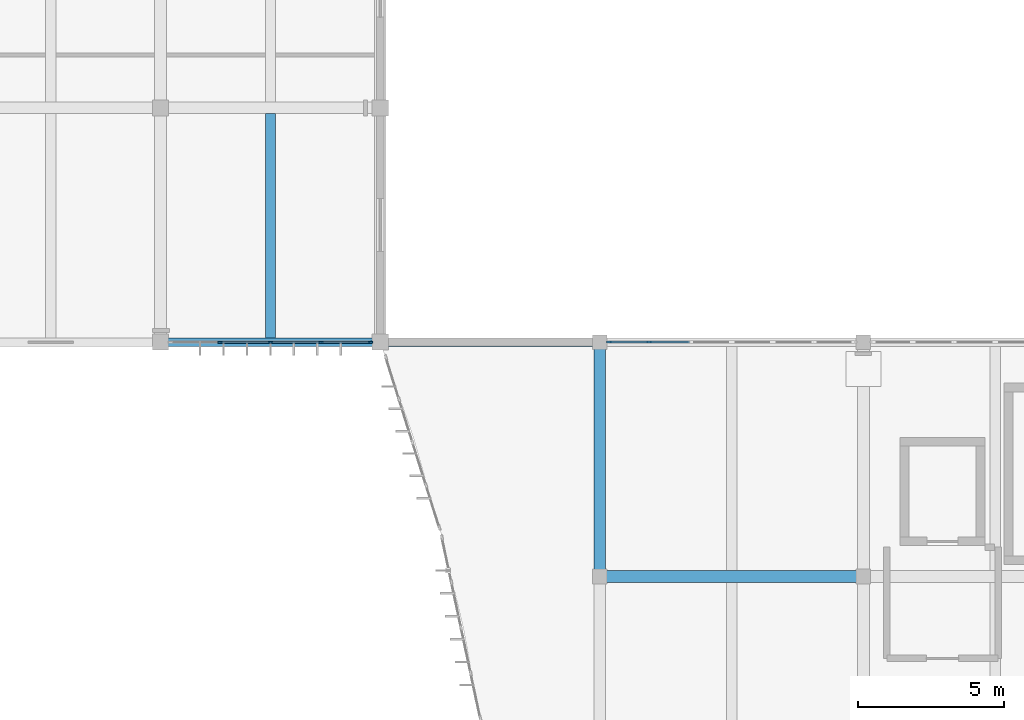
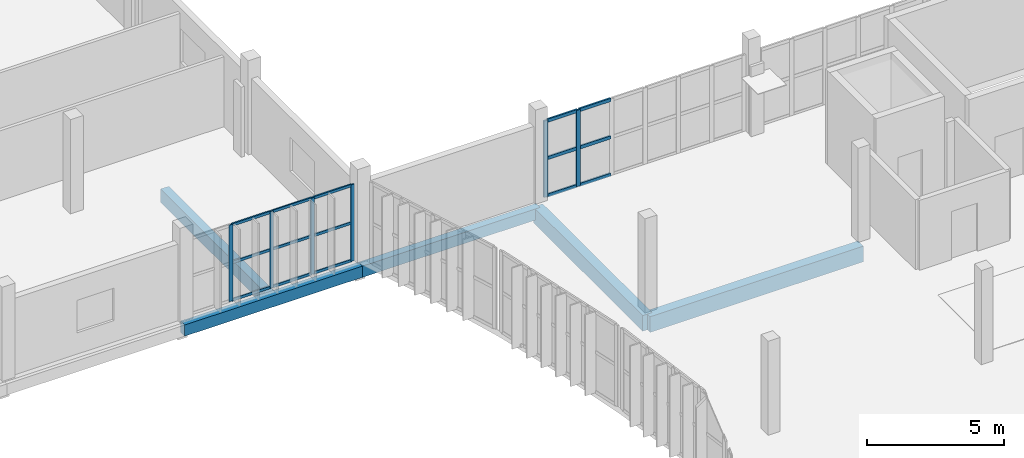
# One storey, part 27 of 61: 21 members, 5 beams, 2 elements without a shape of their own.
"""IFC4 building model written with IfcOpenShell, lengths in metres."""

from ifc_helpers import new_model, si_unit, direction, frame, origin, origin_2d, place, context, subcontext, project, spatial, rectangle, extrude, material, material_profile, profile_set, type_object, element, aggregate, save


model = new_model("IFC4")

# Units and contexts
model_context = context("Model", 3, precision=1e-05, world=origin(), true_north=direction((0.0, 1.0)))
body_context = subcontext(model_context, "Body", "Model", "MODEL_VIEW")
ifc_project = project(units=[si_unit("LENGTHUNIT", "METRE"), si_unit("AREAUNIT", "SQUARE_METRE"), si_unit("VOLUMEUNIT", "CUBIC_METRE"), si_unit("PLANEANGLEUNIT", "RADIAN"), si_unit("MASSUNIT", "GRAM", prefix="KILO")], contexts=[model_context])

# Site, building, storey
site_placement = place(None, origin())
site = spatial("IfcSite", under=ifc_project, at=site_placement, CompositionType="ELEMENT")
building_placement = place(site_placement, origin())
building = spatial("IfcBuilding", under=site, at=building_placement, Name="Vourika Railside Aquatics Centre", CompositionType="ELEMENT")
storey_placement = place(building_placement, frame((0.0, 0.0, 9.300048828125)))
storey = spatial("IfcBuildingStorey", under=building, at=storey_placement, Name="L02", CompositionType="ELEMENT", Elevation=9.300048828125)

# Beams
ifc_material_1 = material(Name="Concrete C35/45", Category="concrete")
ifc_material_profile_1 = material_profile(ifc_material_1, rectangle(XDim=0.39990234375, YDim=0.699951171875, at=origin_2d()), Name="RC 400x700")
ifc_profile_set_1 = profile_set([ifc_material_profile_1], Name="Concrete C35/45")
beam_type_1 = type_object("IfcBeamType", Name="BM-GIRD-400x700", PredefinedType="BEAM", material=ifc_profile_set_1)
beam_1_placement = place(storey_placement, frame((141.0, 84.0, -0.630126953125), z_axis=(1.0, 0.0, 0.0), x_axis=(0.0, 1.0, 0.0)))
element("IfcBeam", 1, at=beam_1_placement, inside=storey, type_object=beam_type_1, Name="Floor Beam GX-L02-081", PredefinedType="BEAM", context=body_context, shape_type="SweptSolid", body=[
    extrude(rectangle(XDim=0.39990234375, YDim=0.699951171875, at=origin_2d()), origin(), (0.0, 0.0, 1.0), 9.0),
])
beam_2_placement = place(storey_placement, frame((141.0, 84.0, -0.630126953125), z_axis=(0.0, 1.0, 0.0), x_axis=(-1.0, 0.0, 0.0)))
element("IfcBeam", 2, at=beam_2_placement, inside=storey, type_object=beam_type_1, Name="Floor Girder GY-L02-264", PredefinedType="BEAM", context=body_context, shape_type="SweptSolid", body=[
    extrude(rectangle(XDim=0.39990234375, YDim=0.699951171875, at=origin_2d()), origin(), (0.0, 0.0, 1.0), 8.0),
])
ifc_material_profile_2 = material_profile(ifc_material_1, rectangle(XDim=0.35009765625, YDim=0.60009765625, at=origin_2d()), Name="RC 350x600")
ifc_profile_set_2 = profile_set([ifc_material_profile_2], Name="Concrete C35/45")
beam_type_2 = type_object("IfcBeamType", Name="BM-SEC-350x600", PredefinedType="JOIST", material=ifc_profile_set_2)
beam_3_placement = place(storey_placement, frame((129.75, 92.14990234375, -0.580078125), z_axis=(0.0, 1.0, 0.0), x_axis=(-1.0, 0.0, 0.0)))
element("IfcBeam", 3, at=beam_3_placement, inside=storey, type_object=beam_type_2, Name="Secondary Joist JY-L02-348", PredefinedType="JOIST", context=body_context, shape_type="SweptSolid", body=[
    extrude(rectangle(XDim=0.35009765625, YDim=0.60009765625, at=origin_2d()), origin(), (0.0, 0.0, 1.0), 7.650146484375),
])
ifc_material_profile_3 = material_profile(ifc_material_1, rectangle(XDim=0.300048828125, YDim=0.5, at=origin_2d()), Name="RC 300x500")
ifc_profile_set_3 = profile_set([ifc_material_profile_3], Name="Concrete C35/45")
beam_type_3 = type_object("IfcBeamType", Name="BM-SPAN-300x500", PredefinedType="SPANDREL", material=ifc_profile_set_3)
for number, where, z_axis, x_axis, name in (
    (4, (126.0, 92.0, -0.530029296875), (1.0, 0.0, 0.0), (0.0, 1.0, 0.0), "Floor Beam GX-L02-098"),
    (5, (133.5, 92.0, -0.530029296875), (1.0, 0.0, 0.0), (0.0, 1.0, 0.0), "Floor Beam GX-L02-099"),
):
    element("IfcBeam", number, at=place(storey_placement, frame(where, z_axis=z_axis, x_axis=x_axis)), inside=storey, type_object=beam_type_3, Name=name, PredefinedType="SPANDREL", context=body_context, shape_type="SweptSolid", body=[
        extrude(rectangle(XDim=0.300048828125, YDim=0.5, at=origin_2d()), origin(), (0.0, 0.0, 1.0), 7.5),
    ])

# Curtain wall, members
ifc_material_2 = material(Name="Anodized thermally broken aluminium", Category="aluminium")
curtain_wall_type_1 = type_object("IfcCurtainWallType", Name="CW-FIT2", PredefinedType="NOTDEFINED", material=ifc_material_2)
curtain_wall_1_placement = place(storey_placement, origin())
curtain_wall_1 = element("IfcCurtainWall", 6, at=curtain_wall_1_placement, inside=storey, type_object=curtain_wall_type_1, Name="Courtyard Fitness Curtain Wall L02-13", PredefinedType="NOTDEFINED")
ifc_material_3 = material(Name="Anodized aluminium mullion", Category="aluminium")
ifc_material_profile_4 = material_profile(ifc_material_3, rectangle(XDim=0.06005859375, YDim=0.14990234375, at=origin_2d()), Name="ALU-M 60x150")
ifc_profile_set_4 = profile_set([ifc_material_profile_4], Name="Anodized aluminium mullion")
member_type_1 = type_object("IfcMemberType", Name="CWM-FIT2", PredefinedType="MULLION", material=ifc_profile_set_4)
member_1_placement = place(storey_placement, frame((128.027587890625, 92.0, 0.0), z_axis=(0.0, 0.0, 1.0), x_axis=(0.0, 1.0, 0.0)))
member_1 = element("IfcMember", 7, at=member_1_placement, type_object=member_type_1, Name="CW16 mullion 2", PredefinedType="MULLION", context=body_context, shape_type="SweptSolid", body=[
    extrude(rectangle(XDim=0.06005859375, YDim=0.14990234375, at=origin_2d()), origin(), (0.0, 0.0, 1.0), 3.409912109375),
])
member_2_placement = place(storey_placement, frame((129.75, 92.0, 0.0), z_axis=(0.0, 0.0, 1.0), x_axis=(0.0, 1.0, 0.0)))
member_2 = element("IfcMember", 8, at=member_2_placement, type_object=member_type_1, Name="CW16 mullion 3", PredefinedType="MULLION", context=body_context, shape_type="SweptSolid", body=[
    extrude(rectangle(XDim=0.06005859375, YDim=0.14990234375, at=origin_2d()), origin(), (0.0, 0.0, 1.0), 3.409912109375),
])
member_3_placement = place(storey_placement, frame((131.472412109375, 92.0, 0.0), z_axis=(0.0, 0.0, 1.0), x_axis=(0.0, 1.0, 0.0)))
member_3 = element("IfcMember", 9, at=member_3_placement, type_object=member_type_1, Name="CW16 mullion 4", PredefinedType="MULLION", context=body_context, shape_type="SweptSolid", body=[
    extrude(rectangle(XDim=0.06005859375, YDim=0.14990234375, at=origin_2d()), origin(), (0.0, 0.0, 1.0), 3.409912109375),
])
member_4_placement = place(storey_placement, frame((133.1650390625, 92.0, 0.0), z_axis=(0.0, 0.0, 1.0), x_axis=(0.0, 1.0, 0.0)))
member_4 = element("IfcMember", 10, at=member_4_placement, type_object=member_type_1, Name="CW16 mullion 5", PredefinedType="MULLION", context=body_context, shape_type="SweptSolid", body=[
    extrude(rectangle(XDim=0.06005859375, YDim=0.14990234375, at=origin_2d()), origin(), (0.0, 0.0, 1.0), 3.409912109375),
])

curtain_wall_type_2 = type_object("IfcCurtainWallType", Name="CW-FOYS", PredefinedType="NOTDEFINED", material=ifc_material_2)
curtain_wall_2_placement = place(storey_placement, origin())
curtain_wall_2 = element("IfcCurtainWall", 11, at=curtain_wall_2_placement, inside=storey, type_object=curtain_wall_type_2, Name="Foyer North Glazed Facade L02-1", PredefinedType="NOTDEFINED")
ifc_material_profile_5 = material_profile(ifc_material_3, rectangle(XDim=0.072021484375, YDim=0.181884765625, at=origin_2d()), Name="ALU-M 72x182")
ifc_profile_set_5 = profile_set([ifc_material_profile_5], Name="Anodized aluminium mullion")
member_type_2 = type_object("IfcMemberType", Name="CWM-FOYS", PredefinedType="MULLION", material=ifc_profile_set_5)
member_5_placement = place(storey_placement, frame((142.686767578125, 92.0, 0.0), z_axis=(0.0, 0.0, 1.0), x_axis=(0.0, -1.0, 0.0)))
member_5 = element("IfcMember", 12, at=member_5_placement, type_object=member_type_2, Name="CW11 mullion 6", PredefinedType="MULLION", context=body_context, shape_type="SweptSolid", body=[
    extrude(rectangle(XDim=0.072021484375, YDim=0.181884765625, at=origin_2d()), origin(), (0.0, 0.0, 1.0), 3.409912109375),
])
member_6_placement = place(storey_placement, frame((141.31591796875, 92.0, 0.0), z_axis=(0.0, 0.0, 1.0), x_axis=(0.0, -1.0, 0.0)))
member_6 = element("IfcMember", 13, at=member_6_placement, type_object=member_type_2, Name="CW11 mullion 7", PredefinedType="MULLION", context=body_context, shape_type="SweptSolid", body=[
    extrude(rectangle(XDim=0.072021484375, YDim=0.181884765625, at=origin_2d()), origin(), (0.0, 0.0, 1.0), 3.409912109375),
])

# Member
ifc_material_4 = material(Name="Anodized aluminium transom", Category="aluminium")
ifc_material_profile_6 = material_profile(ifc_material_4, rectangle(XDim=0.06005859375, YDim=0.117919921875, at=origin_2d()), Name="ALU-T 60x118")
ifc_profile_set_6 = profile_set([ifc_material_profile_6], Name="Anodized aluminium transom")
member_type_3 = type_object("IfcMemberType", Name="CWT-FIT2", PredefinedType="USERDEFINED", material=ifc_profile_set_6)
member_7_placement = place(storey_placement, frame((128.0576171875, 92.0, 0.030029296875), z_axis=(1.0, 0.0, 0.0), x_axis=(0.0, 1.0, 0.0)))
member_7 = element("IfcMember", 14, at=member_7_placement, type_object=member_type_3, Name="CW16 transom 2.1", ObjectType="TRANSOM", PredefinedType="USERDEFINED", context=body_context, shape_type="SweptSolid", body=[
    extrude(rectangle(XDim=0.06005859375, YDim=0.117919921875, at=origin_2d()), origin(), (0.0, 0.0, 1.0), 1.662353515625),
])

member_8_placement = place(storey_placement, frame((128.0576171875, 92.0, 1.704833984375), z_axis=(1.0, 0.0, 0.0), x_axis=(0.0, 1.0, 0.0)))
member_8 = element("IfcMember", 15, at=member_8_placement, type_object=member_type_3, Name="CW16 transom 2.2", ObjectType="TRANSOM", PredefinedType="USERDEFINED", context=body_context, shape_type="SweptSolid", body=[
    extrude(rectangle(XDim=0.06005859375, YDim=0.117919921875, at=origin_2d()), origin(), (0.0, 0.0, 1.0), 1.662353515625),
])

member_9_placement = place(storey_placement, frame((128.0576171875, 92.0, 3.3798828125), z_axis=(1.0, 0.0, 0.0), x_axis=(0.0, 1.0, 0.0)))
member_9 = element("IfcMember", 16, at=member_9_placement, type_object=member_type_3, Name="CW16 transom 2.3", ObjectType="TRANSOM", PredefinedType="USERDEFINED", context=body_context, shape_type="SweptSolid", body=[
    extrude(rectangle(XDim=0.06005859375, YDim=0.117919921875, at=origin_2d()), origin(), (0.0, 0.0, 1.0), 1.662353515625),
])

member_10_placement = place(storey_placement, frame((129.780029296875, 92.0, 0.030029296875), z_axis=(1.0, 0.0, 0.0), x_axis=(0.0, 1.0, 0.0)))
member_10 = element("IfcMember", 17, at=member_10_placement, type_object=member_type_3, Name="CW16 transom 3.1", ObjectType="TRANSOM", PredefinedType="USERDEFINED", context=body_context, shape_type="SweptSolid", body=[
    extrude(rectangle(XDim=0.06005859375, YDim=0.117919921875, at=origin_2d()), origin(), (0.0, 0.0, 1.0), 1.662353515625),
])

member_11_placement = place(storey_placement, frame((129.780029296875, 92.0, 1.704833984375), z_axis=(1.0, 0.0, 0.0), x_axis=(0.0, 1.0, 0.0)))
member_11 = element("IfcMember", 18, at=member_11_placement, type_object=member_type_3, Name="CW16 transom 3.2", ObjectType="TRANSOM", PredefinedType="USERDEFINED", context=body_context, shape_type="SweptSolid", body=[
    extrude(rectangle(XDim=0.06005859375, YDim=0.117919921875, at=origin_2d()), origin(), (0.0, 0.0, 1.0), 1.662353515625),
])

member_12_placement = place(storey_placement, frame((129.780029296875, 92.0, 3.3798828125), z_axis=(1.0, 0.0, 0.0), x_axis=(0.0, 1.0, 0.0)))
member_12 = element("IfcMember", 19, at=member_12_placement, type_object=member_type_3, Name="CW16 transom 3.3", ObjectType="TRANSOM", PredefinedType="USERDEFINED", context=body_context, shape_type="SweptSolid", body=[
    extrude(rectangle(XDim=0.06005859375, YDim=0.117919921875, at=origin_2d()), origin(), (0.0, 0.0, 1.0), 1.662353515625),
])

member_13_placement = place(storey_placement, frame((131.50244140625, 92.0, 0.030029296875), z_axis=(1.0, 0.0, 0.0), x_axis=(0.0, 1.0, 0.0)))
member_13 = element("IfcMember", 20, at=member_13_placement, type_object=member_type_3, Name="CW16 transom 4.1", ObjectType="TRANSOM", PredefinedType="USERDEFINED", context=body_context, shape_type="SweptSolid", body=[
    extrude(rectangle(XDim=0.06005859375, YDim=0.117919921875, at=origin_2d()), origin(), (0.0, 0.0, 1.0), 1.632568359375),
])

member_14_placement = place(storey_placement, frame((131.50244140625, 92.0, 1.704833984375), z_axis=(1.0, 0.0, 0.0), x_axis=(0.0, 1.0, 0.0)))
member_14 = element("IfcMember", 21, at=member_14_placement, type_object=member_type_3, Name="CW16 transom 4.2", ObjectType="TRANSOM", PredefinedType="USERDEFINED", context=body_context, shape_type="SweptSolid", body=[
    extrude(rectangle(XDim=0.06005859375, YDim=0.117919921875, at=origin_2d()), origin(), (0.0, 0.0, 1.0), 1.632568359375),
])

member_15_placement = place(storey_placement, frame((131.50244140625, 92.0, 3.3798828125), z_axis=(1.0, 0.0, 0.0), x_axis=(0.0, 1.0, 0.0)))
member_15 = element("IfcMember", 22, at=member_15_placement, type_object=member_type_3, Name="CW16 transom 4.3", ObjectType="TRANSOM", PredefinedType="USERDEFINED", context=body_context, shape_type="SweptSolid", body=[
    extrude(rectangle(XDim=0.06005859375, YDim=0.117919921875, at=origin_2d()), origin(), (0.0, 0.0, 1.0), 1.632568359375),
])

aggregate(curtain_wall_1, [member_1, member_2, member_3, member_4, member_7, member_8, member_9, member_10, member_11, member_12, member_13, member_14, member_15])

ifc_material_profile_7 = material_profile(ifc_material_4, rectangle(XDim=0.072021484375, YDim=0.14404296875, at=origin_2d()), Name="ALU-T 72x144")
ifc_profile_set_7 = profile_set([ifc_material_profile_7], Name="Anodized aluminium transom")
member_type_4 = type_object("IfcMemberType", Name="CWT-FOYS", PredefinedType="USERDEFINED", material=ifc_profile_set_7)
member_16_placement = place(storey_placement, frame((144.057373046875, 92.0, 0.035888671875), z_axis=(-1.0, 0.0, 0.0), x_axis=(0.0, -1.0, 0.0)))
member_16 = element("IfcMember", 23, at=member_16_placement, type_object=member_type_4, Name="CW11 transom 5.1", ObjectType="TRANSOM", PredefinedType="USERDEFINED", context=body_context, shape_type="SweptSolid", body=[
    extrude(rectangle(XDim=0.072021484375, YDim=0.14404296875, at=origin_2d()), origin(), (0.0, 0.0, 1.0), 1.334716796875),
])

member_17_placement = place(storey_placement, frame((144.057373046875, 92.0, 1.704833984375), z_axis=(-1.0, 0.0, 0.0), x_axis=(0.0, -1.0, 0.0)))
member_17 = element("IfcMember", 24, at=member_17_placement, type_object=member_type_4, Name="CW11 transom 5.2", ObjectType="TRANSOM", PredefinedType="USERDEFINED", context=body_context, shape_type="SweptSolid", body=[
    extrude(rectangle(XDim=0.072021484375, YDim=0.14404296875, at=origin_2d()), origin(), (0.0, 0.0, 1.0), 1.334716796875),
])

member_18_placement = place(storey_placement, frame((144.057373046875, 92.0, 3.3740234375), z_axis=(-1.0, 0.0, 0.0), x_axis=(0.0, -1.0, 0.0)))
member_18 = element("IfcMember", 25, at=member_18_placement, type_object=member_type_4, Name="CW11 transom 5.3", ObjectType="TRANSOM", PredefinedType="USERDEFINED", context=body_context, shape_type="SweptSolid", body=[
    extrude(rectangle(XDim=0.072021484375, YDim=0.14404296875, at=origin_2d()), origin(), (0.0, 0.0, 1.0), 1.334716796875),
])

member_19_placement = place(storey_placement, frame((142.650634765625, 92.0, 0.035888671875), z_axis=(-1.0, 0.0, 0.0), x_axis=(0.0, -1.0, 0.0)))
member_19 = element("IfcMember", 26, at=member_19_placement, type_object=member_type_4, Name="CW11 transom 6.1", ObjectType="TRANSOM", PredefinedType="USERDEFINED", context=body_context, shape_type="SweptSolid", body=[
    extrude(rectangle(XDim=0.072021484375, YDim=0.14404296875, at=origin_2d()), origin(), (0.0, 0.0, 1.0), 1.298583984375),
])

member_20_placement = place(storey_placement, frame((142.650634765625, 92.0, 1.704833984375), z_axis=(-1.0, 0.0, 0.0), x_axis=(0.0, -1.0, 0.0)))
member_20 = element("IfcMember", 27, at=member_20_placement, type_object=member_type_4, Name="CW11 transom 6.2", ObjectType="TRANSOM", PredefinedType="USERDEFINED", context=body_context, shape_type="SweptSolid", body=[
    extrude(rectangle(XDim=0.072021484375, YDim=0.14404296875, at=origin_2d()), origin(), (0.0, 0.0, 1.0), 1.298583984375),
])

member_21_placement = place(storey_placement, frame((142.650634765625, 92.0, 3.3740234375), z_axis=(-1.0, 0.0, 0.0), x_axis=(0.0, -1.0, 0.0)))
member_21 = element("IfcMember", 28, at=member_21_placement, type_object=member_type_4, Name="CW11 transom 6.3", ObjectType="TRANSOM", PredefinedType="USERDEFINED", context=body_context, shape_type="SweptSolid", body=[
    extrude(rectangle(XDim=0.072021484375, YDim=0.14404296875, at=origin_2d()), origin(), (0.0, 0.0, 1.0), 1.298583984375),
])

aggregate(curtain_wall_2, [member_5, member_6, member_16, member_17, member_18, member_19, member_20, member_21])

save(model, "model.ifc")
